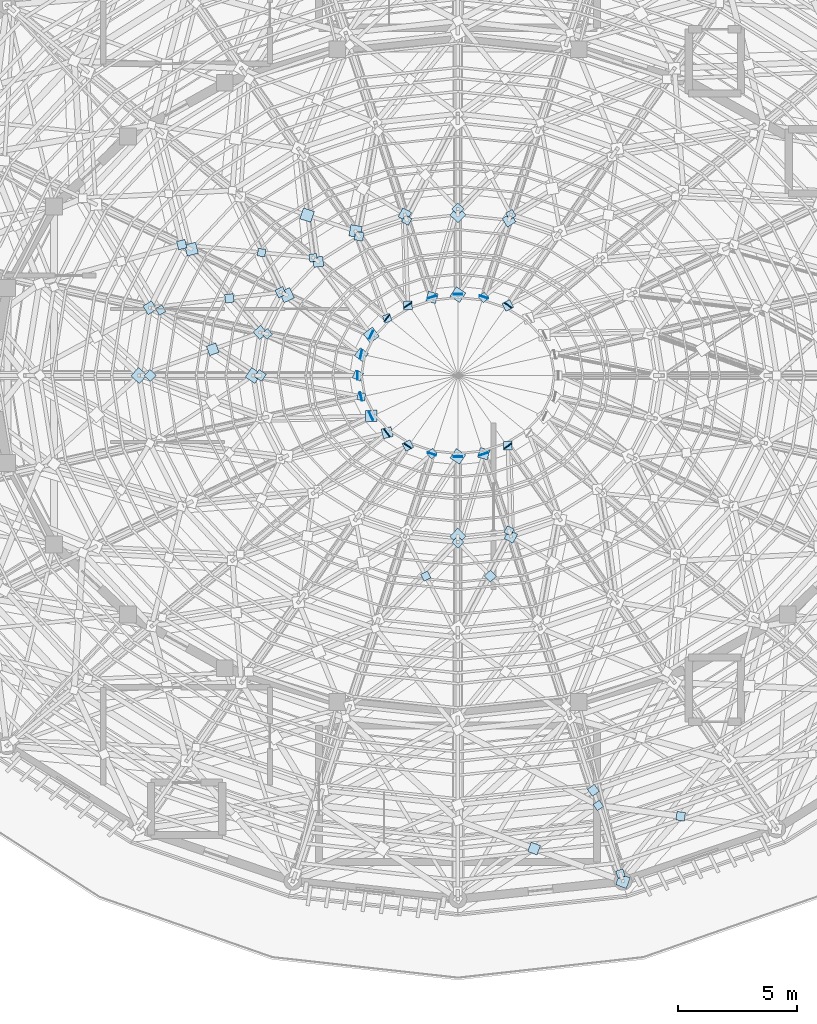
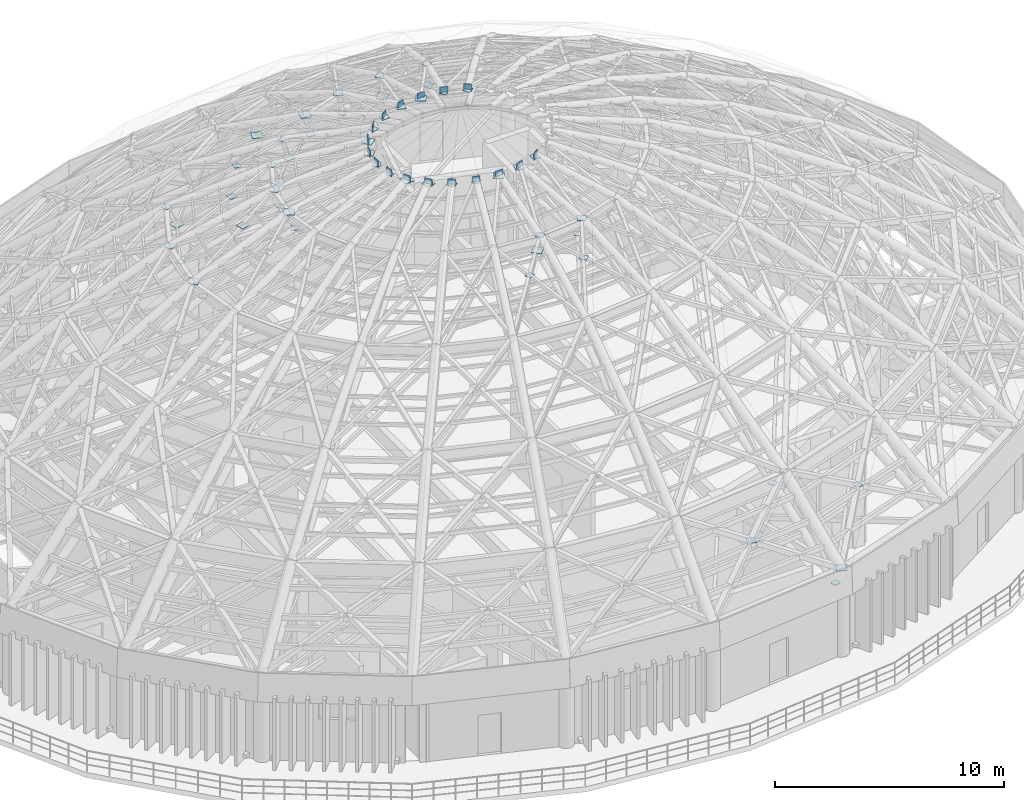
# One storey, part 36 of 50: 72 plates.
"""IFC4 building model written with IfcOpenShell, lengths in metres."""

from ifc_helpers import new_model, si_unit, direction, frame, origin, origin_2d, place, context, subcontext, project, spatial, rectangle, extrude, material, layer, layer_set, type_object, element, save


model = new_model("IFC4")

# Units and contexts
model_context = context("Model", 3, precision=1e-05, world=origin(), true_north=direction((0.0, 1.0)))
body_context = subcontext(model_context, "Body", "Model", "MODEL_VIEW")
ifc_project = project(units=[si_unit("LENGTHUNIT", "METRE"), si_unit("AREAUNIT", "SQUARE_METRE"), si_unit("VOLUMEUNIT", "CUBIC_METRE"), si_unit("PLANEANGLEUNIT", "RADIAN"), si_unit("MASSUNIT", "GRAM", prefix="KILO")], contexts=[model_context])

# Site, building, storey
site_placement = place(None, origin())
site = spatial("IfcSite", under=ifc_project, at=site_placement, CompositionType="ELEMENT")
building_placement = place(site_placement, origin())
building = spatial("IfcBuilding", under=site, at=building_placement, Name="Cinderbank Siding Concert Hall", CompositionType="ELEMENT")
storey_placement = place(building_placement, frame((0.0, 0.0, 23.699951171875)))
storey = spatial("IfcBuildingStorey", under=building, at=storey_placement, Name="L06", CompositionType="ELEMENT", Elevation=23.699951171875)

# Plates
ifc_material = material(Name="Structural steel welded plate section AS/NZS 3679.2 / AS/NZS 3678 Grade 350 (340 MPa)", Category="steel")
ifc_layer_1 = layer(ifc_material, 0.02490234375)
ifc_layer_set_1 = layer_set([ifc_layer_1], Name="Structural steel welded plate section AS/NZS 3679.2 / AS/NZS 3678 Grade 350 (340 MPa)")
plate_type_1 = type_object("IfcPlateType", Name="GP-01 Steel Gusset Cap Plate 480x480x25", PredefinedType="SHEET", material=ifc_layer_set_1)
for number, where, z_axis, x_axis, name in (
    (1, (128.936279296875, 22.74951171875, 4.487548828125), (0.0, 0.0, 1.0), (-0.93855327437, 0.345134395808, 0.0), "L06 Steel Node Gusset Plate GP-01 #728"),
    (2, (110.801513671875, 49.3076171875, 13.03759765625), (0.0, 0.0, 1.0), (0.243615011786, -0.969872015285, 0.0), "L06 Steel Node Gusset Plate GP-01 #856"),
    (3, (108.60009765625, 44.0, 13.987548828125), (0.0, 0.0, 1.0), (0.735032945147, -0.678031392746, 0.0), "L06 Steel Node Gusset Plate GP-01 #860"),
    (4, (122.0, 50.7548828125, 15.03759765625), (0.0, 0.0, 1.0), (-0.691260861067, -0.722605301639, 0.0), "L06 Steel Node Gusset Plate GP-01 #916"),
    (5, (117.699951171875, 50.062255859375, 15.987548828125), (0.0, 0.0, 1.0), (-0.179317351584, -0.983791282448, 0.0), "L06 Steel Node Gusset Plate GP-01 #920"),
    (6, (115.664794921875, 50.737060546875, 15.201171875), (0.0, 0.0, 1.0), (0.949206038203, -0.314655203419, 0.0), "L06 Steel Node Gusset Plate GP-01 #924"),
    (7, (114.81298828125, 47.37744140625, 15.03759765625), (0.0, 0.0, 1.0), (0.428304381921, -0.903634525916, 0.0), "L06 Steel Node Gusset Plate GP-01 #928"),
    (8, (113.39990234375, 44.0, 15.987548828125), (0.0, 0.0, 1.0), (0.836381838331, -0.548147261701, 0.0), "L06 Steel Node Gusset Plate GP-01 #932"),
    (9, (122.0, 37.2451171875, 15.03759765625), (0.0, 0.0, 1.0), (0.691260861067, 0.722605301639, 0.0), "L06 Steel Node Gusset Plate GP-01 #952"),
    (10, (122.0, 47.39990234375, 16.987548828125), (0.0, 0.0, 1.0), (-0.552082517437, -0.83378947819, 0.0), "L06 Steel Node Gusset Plate GP-01 #976"),
    (11, (118.36279296875, 45.699951171875, 16.987548828125), (0.0, 0.0, 1.0), (0.600978364173, -0.79926529125, 0.0), "L06 Steel Node Gusset Plate GP-01 #980"),
    (12, (118.36279296875, 42.300048828125, 16.987548828125), (0.0, 0.0, 1.0), (0.999714145402, 0.023908732351, 0.0), "L06 Steel Node Gusset Plate GP-01 #984"),
    (13, (122.0, 40.60009765625, 16.987548828125), (0.0, 0.0, 1.0), (0.552082517437, 0.83378947819, 0.0), "L06 Steel Node Gusset Plate GP-01 #988"),
):
    element("IfcPlate", number, at=place(storey_placement, frame(where, z_axis=z_axis, x_axis=x_axis)), inside=storey, type_object=plate_type_1, Name=name, PredefinedType="SHEET", context=body_context, shape_type="SweptSolid", body=[
        extrude(rectangle(XDim=0.47998046875, YDim=0.47998046875, at=origin_2d()), origin(), (0.0, 0.0, 1.0), 0.02490234375),
    ])
ifc_layer_2 = layer(ifc_material, 0.02197265625)
ifc_layer_set_2 = layer_set([ifc_layer_2], Name="Structural steel welded plate section AS/NZS 3679.2 / AS/NZS 3678 Grade 350 (340 MPa)")
plate_type_2 = type_object("IfcPlateType", Name="GP-02 Steel Gusset Cap Plate 420x420x22", PredefinedType="SHEET", material=ifc_layer_set_2)
for number, where, z_axis, x_axis, name in (
    (14, (125.201416015625, 24.122802734375, 6.427490234375), (0.0, 0.0, 1.0), (-0.93855327437, 0.345134395808, 0.0), "L06 Steel Node Gusset Plate GP-02 #729"),
    (15, (109.056640625, 46.846923828125, 13.989013671875), (0.0, 0.0, 1.0), (0.522200905326, -0.85282249881, 0.0), "L06 Steel Node Gusset Plate GP-02 #857"),
    (16, (124.14794921875, 50.52490234375, 15.0390625), (0.0, 0.0, 1.0), (-0.850719384362, -0.52562013762, 0.0), "L06 Steel Node Gusset Plate GP-02 #913"),
    (17, (119.774169921875, 50.761474609375, 15.989013671875), (0.0, 0.0, 1.0), (-0.464996568983, -0.885312482028, 0.0), "L06 Steel Node Gusset Plate GP-02 #917"),
    (18, (116.131591796875, 48.776611328125, 15.0390625), (0.0, 0.0, 1.0), (0.133986185418, -0.990983199715, 0.0), "L06 Steel Node Gusset Plate GP-02 #925"),
    (19, (113.693115234375, 45.811767578125, 15.989013671875), (0.0, 0.0, 1.0), (0.666532470249, -0.745475999683, 0.0), "L06 Steel Node Gusset Plate GP-02 #929"),
    (20, (111.6982421875, 45.10205078125, 15.205810546875), (0.0, 0.0, 1.0), (0.942174490079, 0.335122709234, 0.0), "L06 Steel Node Gusset Plate GP-02 #933"),
    (21, (124.225830078125, 37.238525390625, 15.989013671875), (0.0, 0.0, 1.0), (0.464996568983, 0.885312482028, 0.0), "L06 Steel Node Gusset Plate GP-02 #953"),
    (22, (120.9130859375, 47.2841796875, 16.989013671875), (0.0, 0.0, 1.0), (-0.28083422227, -0.959756291775, 0.0), "L06 Steel Node Gusset Plate GP-02 #977"),
    (23, (117.943115234375, 44.8798828125, 16.989013671875), (0.0, 0.0, 1.0), (0.791330252519, -0.611388936315, 0.0), "L06 Steel Node Gusset Plate GP-02 #981"),
    (24, (119.0302734375, 41.595703125, 16.989013671875), (0.0, 0.0, 1.0), (0.971342069813, 0.237685892326, 0.0), "L06 Steel Node Gusset Plate GP-02 #985"),
    (25, (123.0869140625, 40.7158203125, 16.989013671875), (0.0, 0.0, 1.0), (0.28083422227, 0.959756291775, 0.0), "L06 Steel Node Gusset Plate GP-02 #989"),
):
    element("IfcPlate", number, at=place(storey_placement, frame(where, z_axis=z_axis, x_axis=x_axis)), inside=storey, type_object=plate_type_2, Name=name, PredefinedType="SHEET", context=body_context, shape_type="SweptSolid", body=[
        extrude(rectangle(XDim=0.419921875, YDim=0.419921875, at=origin_2d()), origin(), (0.0, 0.0, 1.0), 0.02197265625),
    ])
ifc_layer_3 = layer(ifc_material, 0.02001953125)
ifc_layer_set_3 = layer_set([ifc_layer_3], Name="Structural steel welded plate section AS/NZS 3679.2 / AS/NZS 3678 Grade 350 (340 MPa)")
plate_type_3 = type_object("IfcPlateType", Name="GP-03 Steel Gusset Cap Plate 360x360x20", PredefinedType="SHEET", material=ifc_layer_set_3)
for number, where, z_axis, x_axis, name in (
    (26, (127.694580078125, 26.5693359375, 7.14013671875), (0.0, 0.0, 1.0), (0.802088450119, 0.597205256328, 0.0), "L06 Steel Node Gusset Plate GP-03 #730"),
    (27, (131.36181640625, 25.48046875, 6.4287109375), (0.0, 0.0, 1.0), (-0.991399238736, 0.130872263805, 0.0), "L06 Steel Node Gusset Plate GP-03 #734"),
    (28, (110.395263671875, 49.5, 13.989990234375), (0.0, 0.0, 1.0), (0.243615011786, -0.969872015285, 0.0), "L06 Steel Node Gusset Plate GP-03 #854"),
    (29, (109.069091796875, 44.0, 13.0400390625), (0.0, 0.0, 1.0), (0.735032945147, -0.678031392746, 0.0), "L06 Steel Node Gusset Plate GP-03 #862"),
    (30, (122.0, 51.0, 15.989990234375), (0.0, 0.0, 1.0), (-0.691260861067, -0.722605301639, 0.0), "L06 Steel Node Gusset Plate GP-03 #914"),
    (31, (117.8505859375, 49.85009765625, 15.0400390625), (0.0, 0.0, 1.0), (-0.179317351584, -0.983791282448, 0.0), "L06 Steel Node Gusset Plate GP-03 #922"),
    (32, (114.55224609375, 47.5, 15.989990234375), (0.0, 0.0, 1.0), (0.428304381921, -0.903634525916, 0.0), "L06 Steel Node Gusset Plate GP-03 #926"),
    (33, (112.397216796875, 47.243896484375, 15.205810546875), (0.0, 0.0, 1.0), (0.993006778393, 0.11805735075, 0.0), "L06 Steel Node Gusset Plate GP-03 #930"),
    (34, (113.700927734375, 44.0, 15.0400390625), (0.0, 0.0, 1.0), (0.836381838331, -0.548147261701, 0.0), "L06 Steel Node Gusset Plate GP-03 #934"),
    (35, (122.0, 37.0, 15.989990234375), (0.0, 0.0, 1.0), (0.691260861067, 0.722605301639, 0.0), "L06 Steel Node Gusset Plate GP-03 #950"),
    (36, (123.36572265625, 35.572509765625, 15.20263671875), (0.0, 0.0, 1.0), (-0.691260861067, 0.722605301639, 0.0), "L06 Steel Node Gusset Plate GP-03 #954"),
    (37, (124.10009765625, 46.944580078125, 16.989990234375), (0.0, 0.0, 1.0), (-0.893136003, -0.449786705168, 0.0), "L06 Steel Node Gusset Plate GP-03 #974"),
    (38, (119.89990234375, 46.944580078125, 16.989990234375), (0.0, 0.0, 1.0), (0.032980740915, -0.99945598739, 0.0), "L06 Steel Node Gusset Plate GP-03 #978"),
    (39, (117.800048828125, 44.0, 16.989990234375), (0.0, 0.0, 1.0), (0.91495966785, -0.403545296352, 0.0), "L06 Steel Node Gusset Plate GP-03 #982"),
    (40, (119.89990234375, 41.055419921875, 16.989990234375), (0.0, 0.0, 1.0), (0.893136003, 0.449786705168, 0.0), "L06 Steel Node Gusset Plate GP-03 #986"),
    (41, (124.10009765625, 41.055419921875, 16.989990234375), (0.0, 0.0, 1.0), (-0.032980740915, 0.99945598739, 0.0), "L06 Steel Node Gusset Plate GP-03 #990"),
):
    element("IfcPlate", number, at=place(storey_placement, frame(where, z_axis=z_axis, x_axis=x_axis)), inside=storey, type_object=plate_type_3, Name=name, PredefinedType="SHEET", context=body_context, shape_type="SweptSolid", body=[
        extrude(rectangle(XDim=0.360107421875, YDim=0.360107421875, at=origin_2d()), origin(), (0.0, 0.0, 1.0), 0.02001953125),
    ])
ifc_layer_4 = layer(ifc_material, 0.02099609375)
ifc_layer_set_4 = layer_set([ifc_layer_4], Name="Structural steel welded plate section AS/NZS 3679.2 / AS/NZS 3678 Grade 350 (340 MPa)")
plate_type_4 = type_object("IfcPlateType", Name="GP-04 Steel Gusset Cap Plate 320x320x21", PredefinedType="SHEET", material=ifc_layer_set_4)
for number, where, z_axis, x_axis, name in (
    (42, (127.901123046875, 25.937255859375, 8.089599609375), (0.0, 0.0, 1.0), (0.831857270839, 0.554989622383, 0.0), "L06 Steel Node Gusset Plate GP-04 #727"),
    (43, (128.832275390625, 23.068359375, 3.53955078125), (0.0, 0.0, 1.0), (-0.308684994204, 0.951164325631, 0.0), "L06 Steel Node Gusset Plate GP-04 #731"),
    (44, (109.509521484375, 46.747314453125, 13.03955078125), (0.0, 0.0, 1.0), (0.522200905326, -0.85282249881, 0.0), "L06 Steel Node Gusset Plate GP-04 #859"),
    (45, (124.225830078125, 50.761474609375, 15.989501953125), (0.0, 0.0, 1.0), (-0.850719384362, -0.52562013762, 0.0), "L06 Steel Node Gusset Plate GP-04 #911"),
    (46, (119.85205078125, 50.52490234375, 15.03955078125), (0.0, 0.0, 1.0), (-0.464996568983, -0.885312482028, 0.0), "L06 Steel Node Gusset Plate GP-04 #919"),
    (47, (115.9189453125, 48.94970703125, 15.989501953125), (0.0, 0.0, 1.0), (0.133986185418, -0.990983199715, 0.0), "L06 Steel Node Gusset Plate GP-04 #923"),
    (48, (113.749755859375, 49.165771484375, 15.2041015625), (0.0, 0.0, 1.0), (0.995072889372, -0.099146078272, 0.0), "L06 Steel Node Gusset Plate GP-04 #927"),
    (49, (113.98388671875, 45.748291015625, 15.03955078125), (0.0, 0.0, 1.0), (0.666532470249, -0.745475999683, 0.0), "L06 Steel Node Gusset Plate GP-04 #931"),
    (50, (120.650390625, 35.570068359375, 15.2021484375), (0.0, 0.0, 1.0), (-0.464996568983, 0.885312482028, 0.0), "L06 Steel Node Gusset Plate GP-04 #951"),
    (51, (124.14794921875, 37.47509765625, 15.03955078125), (0.0, 0.0, 1.0), (0.464996568983, 0.885312482028, 0.0), "L06 Steel Node Gusset Plate GP-04 #955"),
    (52, (123.0869140625, 47.2841796875, 16.989501953125), (0.0, 0.0, 1.0), (-0.756424550435, -0.654080957909, 0.0), "L06 Steel Node Gusset Plate GP-04 #975"),
    (53, (119.0302734375, 46.404296875, 16.989501953125), (0.0, 0.0, 1.0), (0.341692107891, -0.939811951086, 0.0), "L06 Steel Node Gusset Plate GP-04 #979"),
    (54, (117.943115234375, 43.1201171875, 16.989501953125), (0.0, 0.0, 1.0), (0.981760154029, -0.190123643878, 0.0), "L06 Steel Node Gusset Plate GP-04 #983"),
    (55, (120.9130859375, 40.7158203125, 16.989501953125), (0.0, 0.0, 1.0), (0.756424550435, 0.654080957909, 0.0), "L06 Steel Node Gusset Plate GP-04 #987"),
):
    element("IfcPlate", number, at=place(storey_placement, frame(where, z_axis=z_axis, x_axis=x_axis)), inside=storey, type_object=plate_type_4, Name=name, PredefinedType="SHEET", context=body_context, shape_type="SweptSolid", body=[
        extrude(rectangle(XDim=0.320068359375, YDim=0.320068359375, at=origin_2d()), origin(), (0.0, 0.0, 1.0), 0.02099609375),
    ])
plate_type_5 = type_object("IfcPlateType", Name="GP-10 Steel Gusset Cap Plate 32x360x380", PredefinedType="SHEET", material=ifc_material)
for number, where, z_axis, x_axis, name in (
    (56, (124.10791015625, 46.95556640625, 16.90625), (0.0, 0.0, 1.0), (-0.576574926079, -0.817044279471, 0.0), "L06 Dome Apex Rib Cap Plate GP-10 #68"),
    (57, (123.09130859375, 47.296875, 16.906005859375), (0.0, 0.0, 1.0), (-0.311174075894, -0.950352931542, 0.0), "L06 Dome Apex Rib Cap Plate GP-10 #69"),
    (58, (122.0, 47.413330078125, 16.906005859375), (0.0, 0.0, 1.0), (0.0, -1.0, 0.0), "L06 Dome Apex Rib Cap Plate GP-10 #70"),
    (59, (120.90869140625, 47.296875, 16.906005859375), (0.0, 0.0, 1.0), (0.311174075894, -0.950352931542, 0.0), "L06 Dome Apex Rib Cap Plate GP-10 #71"),
    (60, (119.89208984375, 46.95556640625, 16.90625), (0.0, 0.0, 1.0), (0.576574926079, -0.817044279471, 0.0), "L06 Dome Apex Rib Cap Plate GP-10 #72"),
    (61, (119.019775390625, 46.412841796875, 16.906494140625), (0.0, 0.0, 1.0), (0.773950743756, -0.633245802386, 0.0), "L06 Dome Apex Rib Cap Plate GP-10 #73"),
    (62, (118.3505859375, 45.705810546875, 16.906494140625), (0.0, 0.0, 1.0), (0.904157123908, -0.427200064707, 0.0), "L06 Dome Apex Rib Cap Plate GP-10 #74"),
    (63, (117.9296875, 44.8828125, 16.90673828125), (0.0, 0.0, 1.0), (0.976821953852, -0.214053429014, 0.0), "L06 Dome Apex Rib Cap Plate GP-10 #75"),
    (64, (117.786376953125, 44.0, 16.90673828125), (0.0, 0.0, 1.0), (1.0, 0.0, 0.0), "L06 Dome Apex Rib Cap Plate GP-10 #76"),
    (65, (117.9296875, 43.1171875, 16.90673828125), (0.0, 0.0, 1.0), (0.976821953852, 0.214053429014, 0.0), "L06 Dome Apex Rib Cap Plate GP-10 #77"),
    (66, (118.3505859375, 42.294189453125, 16.906494140625), (0.0, 0.0, 1.0), (0.904157123908, 0.427200064707, 0.0), "L06 Dome Apex Rib Cap Plate GP-10 #78"),
    (67, (119.019775390625, 41.587158203125, 16.906494140625), (0.0, 0.0, 1.0), (0.773950743756, 0.633245802386, 0.0), "L06 Dome Apex Rib Cap Plate GP-10 #79"),
    (68, (119.89208984375, 41.04443359375, 16.90625), (0.0, 0.0, 1.0), (0.576574926079, 0.817044279471, 0.0), "L06 Dome Apex Rib Cap Plate GP-10 #80"),
    (69, (120.90869140625, 40.703125, 16.906005859375), (0.0, 0.0, 1.0), (0.311174075894, 0.950352931542, 0.0), "L06 Dome Apex Rib Cap Plate GP-10 #81"),
    (70, (122.0, 40.586669921875, 16.906005859375), (0.0, 0.0, 1.0), (0.0, 1.0, 0.0), "L06 Dome Apex Rib Cap Plate GP-10 #82"),
    (71, (123.09130859375, 40.703125, 16.906005859375), (0.0, 0.0, 1.0), (-0.311174075894, 0.950352931542, 0.0), "L06 Dome Apex Rib Cap Plate GP-10 #83"),
    (72, (124.10791015625, 41.04443359375, 16.90625), (0.0, 0.0, 1.0), (-0.576574926079, 0.817044279471, 0.0), "L06 Dome Apex Rib Cap Plate GP-10 #84"),
):
    element("IfcPlate", number, at=place(storey_placement, frame(where, z_axis=z_axis, x_axis=x_axis)), inside=storey, type_object=plate_type_5, Name=name, PredefinedType="SHEET", context=body_context, shape_type="SweptSolid", body=[
        extrude(rectangle(XDim=0.031982421875, YDim=0.360107421875, at=origin_2d()), origin(), (0.0, 0.0, 1.0), 0.3798828125),
    ])

save(model, "model.ifc")
